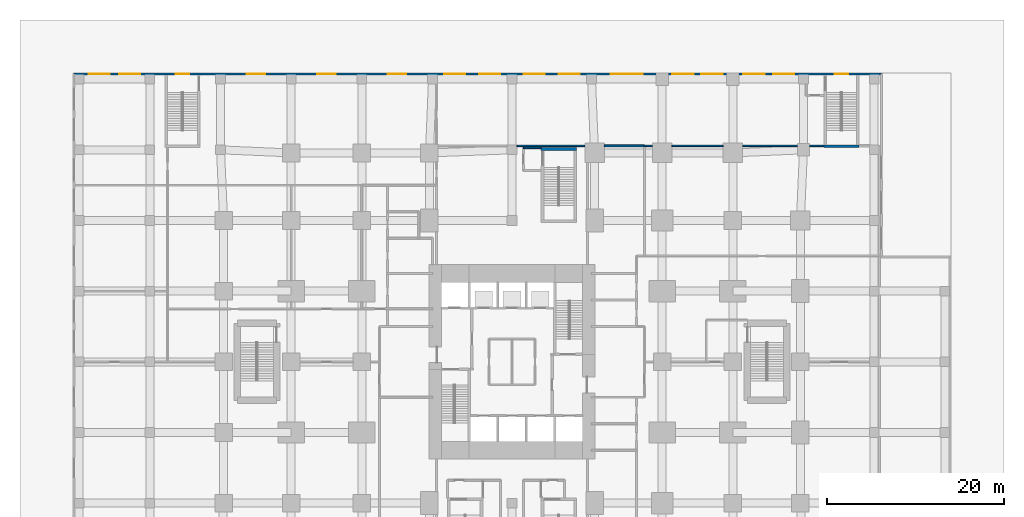
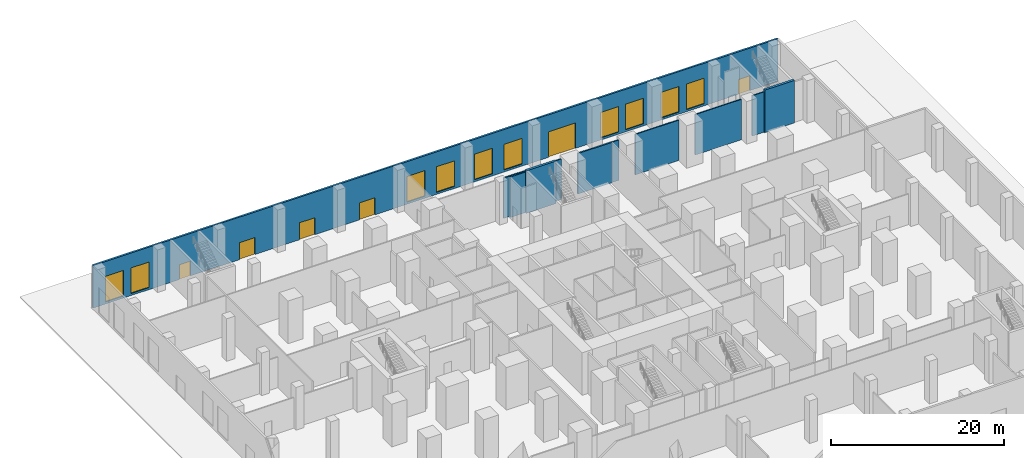
# One storey, part 11 of 16: 10 walls, 10 windows, 6 doors, 16 openings.
"""IFC4 building model written with IfcOpenShell, lengths in metres."""

from ifc_helpers import new_model, si_unit, direction, frame, frame_2d, origin, place, context, subcontext, project, spatial, rectangle, extrude, material, layer, layer_set, type_object, element, fill, save


model = new_model("IFC4")

# Units and contexts
model_context = context("Model", 3, precision=1e-05, world=origin(), true_north=direction((0.0, 1.0)))
body_context = subcontext(model_context, "Body", "Model", "MODEL_VIEW")
ifc_project = project(units=[si_unit("LENGTHUNIT", "METRE"), si_unit("AREAUNIT", "SQUARE_METRE"), si_unit("VOLUMEUNIT", "CUBIC_METRE"), si_unit("PLANEANGLEUNIT", "RADIAN"), si_unit("MASSUNIT", "GRAM", prefix="KILO")], contexts=[model_context])

# Site, building, storey
site_placement = place(None, origin())
site = spatial("IfcSite", under=ifc_project, at=site_placement, CompositionType="ELEMENT")
building_placement = place(site_placement, origin())
building = spatial("IfcBuilding", under=site, at=building_placement, Name="Cleftline Residences", CompositionType="ELEMENT")
storey_placement = place(building_placement, origin())
storey = spatial("IfcBuildingStorey", under=building, at=storey_placement, Name="L00", CompositionType="ELEMENT", Elevation=0.0)

# Wall, openings, doors, windows
ifc_material_1 = material(Name="Rendered reinforced concrete blockwork", Category="masonry")
ifc_layer_1 = layer(ifc_material_1, 0.25)
ifc_layer_set_1 = layer_set([ifc_layer_1], Name="EXTERNAL WALL 250")
wall_type_1 = type_object("IfcWallType", Name="EXTERNAL WALL 250", PredefinedType="SOLIDWALL", material=ifc_layer_set_1)
wall_1_placement = place(storey_placement, frame((74.824951171875, 56.574951171875, 0.0), z_axis=(0.0, 0.0, 1.0), x_axis=(-1.0, 0.0, 0.0)))
wall_1 = element("IfcWall", 1, at=wall_1_placement, inside=storey, type_object=wall_type_1, Name="External wall", PredefinedType="SOLIDWALL", context=body_context, shape_type="SweptSolid", body=[
    extrude(rectangle(XDim=91.39990234375, YDim=0.25, at=frame_2d((45.699951171875, 0.0))), origin(), (0.0, 0.0, 1.0), 6.0),
])
opening_1_placement = place(wall_1_placement, frame((27.02490234375, 0.0, 0.0)))
opening_1 = element("IfcOpeningElement", 2, at=opening_1_placement, cuts=wall_1, Name="Opening DR1", PredefinedType="OPENING", context=body_context, shape_type="SweptSolid", body=[
    extrude(rectangle(XDim=3.60009765625, YDim=3.60009765625, at=frame_2d((1.800048828125, 1.800048828125))), frame((0.0, 0.135009765625, 0.0), z_axis=(0.0, -1.0, 0.0), x_axis=(1.0, 0.0, 0.0)), (0.0, 0.0, 1.0), 0.27001953125),
])
opening_2_placement = place(wall_1_placement, frame((9.862548828125, 0.0, 0.300048828125)))
opening_2 = element("IfcOpeningElement", 3, at=opening_2_placement, cuts=wall_1, Name="Opening W1", PredefinedType="OPENING", context=body_context, shape_type="SweptSolid", body=[
    extrude(rectangle(XDim=2.39990234375, YDim=3.60009765625, at=frame_2d((1.199951171875, 1.800048828125))), frame((0.0, 0.135009765625, 0.0), z_axis=(0.0, -1.0, 0.0), x_axis=(1.0, 0.0, 0.0)), (0.0, 0.0, 1.0), 0.27001953125),
])
opening_3_placement = place(wall_1_placement, frame((13.237548828125, 0.0, 0.300048828125)))
opening_3 = element("IfcOpeningElement", 4, at=opening_3_placement, cuts=wall_1, Name="Opening W1", PredefinedType="OPENING", context=body_context, shape_type="SweptSolid", body=[
    extrude(rectangle(XDim=2.39990234375, YDim=3.60009765625, at=frame_2d((1.199951171875, 1.800048828125))), frame((0.0, 0.135009765625, 0.0), z_axis=(0.0, -1.0, 0.0), x_axis=(1.0, 0.0, 0.0)), (0.0, 0.0, 1.0), 0.27001953125),
])
opening_4_placement = place(wall_1_placement, frame((17.97509765625, 0.0, 0.300048828125)))
opening_4 = element("IfcOpeningElement", 5, at=opening_4_placement, cuts=wall_1, Name="Opening W1", PredefinedType="OPENING", context=body_context, shape_type="SweptSolid", body=[
    extrude(rectangle(XDim=2.39990234375, YDim=3.60009765625, at=frame_2d((1.199951171875, 1.800048828125))), frame((0.0, 0.135009765625, 0.0), z_axis=(0.0, -1.0, 0.0), x_axis=(1.0, 0.0, 0.0)), (0.0, 0.0, 1.0), 0.27001953125),
])
opening_5_placement = place(wall_1_placement, frame((21.27490234375, 0.0, 0.300048828125)))
opening_5 = element("IfcOpeningElement", 6, at=opening_5_placement, cuts=wall_1, Name="Opening W1", PredefinedType="OPENING", context=body_context, shape_type="SweptSolid", body=[
    extrude(rectangle(XDim=2.39990234375, YDim=3.60009765625, at=frame_2d((1.199951171875, 1.800048828125))), frame((0.0, 0.135009765625, 0.0), z_axis=(0.0, -1.0, 0.0), x_axis=(1.0, 0.0, 0.0)), (0.0, 0.0, 1.0), 0.27001953125),
])
opening_6_placement = place(wall_1_placement, frame((34.14990234375, 0.0, 0.300048828125)))
opening_6 = element("IfcOpeningElement", 7, at=opening_6_placement, cuts=wall_1, Name="Opening W1", PredefinedType="OPENING", context=body_context, shape_type="SweptSolid", body=[
    extrude(rectangle(XDim=2.39990234375, YDim=3.60009765625, at=frame_2d((1.199951171875, 1.800048828125))), frame((0.0, 0.135009765625, 0.0), z_axis=(0.0, -1.0, 0.0), x_axis=(1.0, 0.0, 0.0)), (0.0, 0.0, 1.0), 0.27001953125),
])
opening_7_placement = place(wall_1_placement, frame((38.10009765625, 0.0, 0.300048828125)))
opening_7 = element("IfcOpeningElement", 8, at=opening_7_placement, cuts=wall_1, Name="Opening W1", PredefinedType="OPENING", context=body_context, shape_type="SweptSolid", body=[
    extrude(rectangle(XDim=2.39990234375, YDim=3.60009765625, at=frame_2d((1.199951171875, 1.800048828125))), frame((0.0, 0.135009765625, 0.0), z_axis=(0.0, -1.0, 0.0), x_axis=(1.0, 0.0, 0.0)), (0.0, 0.0, 1.0), 0.27001953125),
])
opening_8_placement = place(wall_1_placement, frame((43.14990234375, 0.0, 0.300048828125)))
opening_8 = element("IfcOpeningElement", 9, at=opening_8_placement, cuts=wall_1, Name="Opening W1", PredefinedType="OPENING", context=body_context, shape_type="SweptSolid", body=[
    extrude(rectangle(XDim=2.39990234375, YDim=3.60009765625, at=frame_2d((1.199951171875, 1.800048828125))), frame((0.0, 0.135009765625, 0.0), z_axis=(0.0, -1.0, 0.0), x_axis=(1.0, 0.0, 0.0)), (0.0, 0.0, 1.0), 0.27001953125),
])
opening_9_placement = place(wall_1_placement, frame((47.10009765625, 0.0, 0.300048828125)))
opening_9 = element("IfcOpeningElement", 10, at=opening_9_placement, cuts=wall_1, Name="Opening W1", PredefinedType="OPENING", context=body_context, shape_type="SweptSolid", body=[
    extrude(rectangle(XDim=2.39990234375, YDim=3.60009765625, at=frame_2d((1.199951171875, 1.800048828125))), frame((0.0, 0.135009765625, 0.0), z_axis=(0.0, -1.0, 0.0), x_axis=(1.0, 0.0, 0.0)), (0.0, 0.0, 1.0), 0.27001953125),
])
opening_10_placement = place(wall_1_placement, frame((53.77490234375, 0.0, 0.0)))
opening_10 = element("IfcOpeningElement", 11, at=opening_10_placement, cuts=wall_1, Name="Opening DE1", PredefinedType="OPENING", context=body_context, shape_type="SweptSolid", body=[
    extrude(rectangle(XDim=2.10009765625, YDim=2.39990234375, at=frame_2d((1.050048828125, 1.199951171875))), frame((0.0, 0.135009765625, 0.0), z_axis=(0.0, -1.0, 0.0), x_axis=(1.0, 0.0, 0.0)), (0.0, 0.0, 1.0), 0.27001953125),
])
opening_11_placement = place(wall_1_placement, frame((61.77490234375, 0.0, 0.0)))
opening_11 = element("IfcOpeningElement", 12, at=opening_11_placement, cuts=wall_1, Name="Opening DE1", PredefinedType="OPENING", context=body_context, shape_type="SweptSolid", body=[
    extrude(rectangle(XDim=2.10009765625, YDim=2.39990234375, at=frame_2d((1.050048828125, 1.199951171875))), frame((0.0, 0.135009765625, 0.0), z_axis=(0.0, -1.0, 0.0), x_axis=(1.0, 0.0, 0.0)), (0.0, 0.0, 1.0), 0.27001953125),
])
opening_12_placement = place(wall_1_placement, frame((69.77490234375, 0.0, 0.0)))
opening_12 = element("IfcOpeningElement", 13, at=opening_12_placement, cuts=wall_1, Name="Opening DE1", PredefinedType="OPENING", context=body_context, shape_type="SweptSolid", body=[
    extrude(rectangle(XDim=2.10009765625, YDim=2.39990234375, at=frame_2d((1.050048828125, 1.199951171875))), frame((0.0, 0.135009765625, 0.0), z_axis=(0.0, -1.0, 0.0), x_axis=(1.0, 0.0, 0.0)), (0.0, 0.0, 1.0), 0.27001953125),
])
opening_13_placement = place(wall_1_placement, frame((83.89990234375, 0.0, 0.300048828125)))
opening_13 = element("IfcOpeningElement", 14, at=opening_13_placement, cuts=wall_1, Name="Opening W1", PredefinedType="OPENING", context=body_context, shape_type="SweptSolid", body=[
    extrude(rectangle(XDim=2.39990234375, YDim=3.60009765625, at=frame_2d((1.199951171875, 1.800048828125))), frame((0.0, 0.135009765625, 0.0), z_axis=(0.0, -1.0, 0.0), x_axis=(1.0, 0.0, 0.0)), (0.0, 0.0, 1.0), 0.27001953125),
])
opening_14_placement = place(wall_1_placement, frame((87.35009765625, 0.0, 0.300048828125)))
opening_14 = element("IfcOpeningElement", 15, at=opening_14_placement, cuts=wall_1, Name="Opening W1", PredefinedType="OPENING", context=body_context, shape_type="SweptSolid", body=[
    extrude(rectangle(XDim=2.39990234375, YDim=3.60009765625, at=frame_2d((1.199951171875, 1.800048828125))), frame((0.0, 0.135009765625, 0.0), z_axis=(0.0, -1.0, 0.0), x_axis=(1.0, 0.0, 0.0)), (0.0, 0.0, 1.0), 0.27001953125),
])
opening_15_placement = place(wall_1_placement, frame((5.27490234375, 0.0, 0.0), z_axis=(0.0, 0.0, 1.0), x_axis=(-1.0, 0.0, 0.0)))
opening_15 = element("IfcOpeningElement", 16, at=opening_15_placement, cuts=wall_1, Name="Opening D12", PredefinedType="OPENING", context=body_context, shape_type="SweptSolid", body=[
    extrude(rectangle(XDim=1.5, YDim=2.10009765625, at=frame_2d((0.75, 1.050048828125))), frame((0.0, 0.135009765625, 0.0), z_axis=(0.0, -1.0, 0.0), x_axis=(1.0, 0.0, 0.0)), (0.0, 0.0, 1.0), 0.27001953125),
])
opening_16_placement = place(wall_1_placement, frame((79.875, 0.0, 0.0), z_axis=(0.0, 0.0, 1.0), x_axis=(-1.0, 0.0, 0.0)))
opening_16 = element("IfcOpeningElement", 17, at=opening_16_placement, cuts=wall_1, Name="Opening D12", PredefinedType="OPENING", context=body_context, shape_type="SweptSolid", body=[
    extrude(rectangle(XDim=1.5, YDim=2.10009765625, at=frame_2d((0.75, 1.050048828125))), frame((0.0, 0.135009765625, 0.0), z_axis=(0.0, -1.0, 0.0), x_axis=(1.0, 0.0, 0.0)), (0.0, 0.0, 1.0), 0.27001953125),
])
ifc_material_2 = material(Name="Aluminium and laminated glass", Category="aluminium")
door_type_1 = type_object("IfcDoorType", Name="ENTRANCE DOOR 2100X2400", OperationType="DOUBLE_DOOR_DOUBLE_SWING", PredefinedType="DOOR", material=ifc_material_2)
door_1_placement = place(opening_10_placement, origin())
door_1 = element("IfcDoor", 18, at=door_1_placement, inside=storey, type_object=door_type_1, Name="Entrance door", OperationType="DOUBLE_DOOR_DOUBLE_SWING", OverallHeight=2.39990234375, OverallWidth=2.10009765625, PredefinedType="DOOR", context=body_context, shape_type="SweptSolid", body=[
    extrude(rectangle(XDim=2.10009765625, YDim=2.39990234375, at=frame_2d((1.050048828125, 1.199951171875))), frame((0.0, 0.02490234375, 0.0), z_axis=(0.0, -1.0, 0.0), x_axis=(1.0, 0.0, 0.0)), (0.0, 0.0, 1.0), 0.050048828125),
])
fill(opening_10, door_1)
door_2_placement = place(opening_11_placement, origin())
door_2 = element("IfcDoor", 19, at=door_2_placement, inside=storey, type_object=door_type_1, Name="Entrance door", OperationType="DOUBLE_DOOR_DOUBLE_SWING", OverallHeight=2.39990234375, OverallWidth=2.10009765625, PredefinedType="DOOR", context=body_context, shape_type="SweptSolid", body=[
    extrude(rectangle(XDim=2.10009765625, YDim=2.39990234375, at=frame_2d((1.050048828125, 1.199951171875))), frame((0.0, 0.02490234375, 0.0), z_axis=(0.0, -1.0, 0.0), x_axis=(1.0, 0.0, 0.0)), (0.0, 0.0, 1.0), 0.050048828125),
])
fill(opening_11, door_2)
door_3_placement = place(opening_12_placement, origin())
door_3 = element("IfcDoor", 20, at=door_3_placement, inside=storey, type_object=door_type_1, Name="Entrance door", OperationType="DOUBLE_DOOR_DOUBLE_SWING", OverallHeight=2.39990234375, OverallWidth=2.10009765625, PredefinedType="DOOR", context=body_context, shape_type="SweptSolid", body=[
    extrude(rectangle(XDim=2.10009765625, YDim=2.39990234375, at=frame_2d((1.050048828125, 1.199951171875))), frame((0.0, 0.02490234375, 0.0), z_axis=(0.0, -1.0, 0.0), x_axis=(1.0, 0.0, 0.0)), (0.0, 0.0, 1.0), 0.050048828125),
])
fill(opening_12, door_3)
ifc_material_3 = material(Name="Galvanised steel", Category="steel")
door_type_2 = type_object("IfcDoorType", Name="ROLLER SHUTTER 3600X3600", OperationType="USERDEFINED", PredefinedType="USERDEFINED", material=ifc_material_3)
door_4_placement = place(opening_1_placement, origin())
door_4 = element("IfcDoor", 21, at=door_4_placement, inside=storey, type_object=door_type_2, Name="Goods door", ObjectType="ROLLER SHUTTER", OperationType="USERDEFINED", OverallHeight=3.60009765625, OverallWidth=3.60009765625, PredefinedType="USERDEFINED", context=body_context, shape_type="SweptSolid", body=[
    extrude(rectangle(XDim=3.60009765625, YDim=3.60009765625, at=frame_2d((1.800048828125, 1.800048828125))), frame((0.0, 0.02490234375, 0.0), z_axis=(0.0, -1.0, 0.0), x_axis=(1.0, 0.0, 0.0)), (0.0, 0.0, 1.0), 0.050048828125),
])
fill(opening_1, door_4)
ifc_material_4 = material(Name="Steel", Category="steel")
door_type_3 = type_object("IfcDoorType", Name="STAIR DOOR 1500X2100", OperationType="DOUBLE_DOOR_SINGLE_SWING", PredefinedType="DOOR", material=ifc_material_4)
door_5_placement = place(opening_15_placement, origin())
door_5 = element("IfcDoor", 22, at=door_5_placement, inside=storey, type_object=door_type_3, Name="Stair PS-E exit door", OperationType="DOUBLE_DOOR_SINGLE_SWING", OverallHeight=2.10009765625, OverallWidth=1.5, PredefinedType="DOOR", context=body_context, shape_type="SweptSolid", body=[
    extrude(rectangle(XDim=1.5, YDim=2.10009765625, at=frame_2d((0.75, 1.050048828125))), frame((0.0, 0.02490234375, 0.0), z_axis=(0.0, -1.0, 0.0), x_axis=(1.0, 0.0, 0.0)), (0.0, 0.0, 1.0), 0.050048828125),
])
fill(opening_15, door_5)
door_6_placement = place(opening_16_placement, origin())
door_6 = element("IfcDoor", 23, at=door_6_placement, inside=storey, type_object=door_type_3, Name="Stair PS-W exit door", OperationType="DOUBLE_DOOR_SINGLE_SWING", OverallHeight=2.10009765625, OverallWidth=1.5, PredefinedType="DOOR", context=body_context, shape_type="SweptSolid", body=[
    extrude(rectangle(XDim=1.5, YDim=2.10009765625, at=frame_2d((0.75, 1.050048828125))), frame((0.0, 0.02490234375, 0.0), z_axis=(0.0, -1.0, 0.0), x_axis=(1.0, 0.0, 0.0)), (0.0, 0.0, 1.0), 0.050048828125),
])
fill(opening_16, door_6)
ifc_material_5 = material(Name="Aluminium frame, clear double glazing", Category="aluminium")
window_type = type_object("IfcWindowType", Name="WINDOW 2400X3600", PartitioningType="DOUBLE_PANEL_VERTICAL", PredefinedType="WINDOW", material=ifc_material_5)
window_1_placement = place(opening_2_placement, origin())
window_1 = element("IfcWindow", 24, at=window_1_placement, inside=storey, type_object=window_type, Name="Window", OverallHeight=3.60009765625, OverallWidth=2.39990234375, PartitioningType="SINGLE_PANEL", PredefinedType="WINDOW", context=body_context, shape_type="SweptSolid", body=[
    extrude(rectangle(XDim=2.39990234375, YDim=3.60009765625, at=frame_2d((1.199951171875, 1.800048828125))), frame((0.0, 0.030029296875, 0.0), z_axis=(0.0, -1.0, 0.0), x_axis=(1.0, 0.0, 0.0)), (0.0, 0.0, 1.0), 0.06005859375),
])
fill(opening_2, window_1)
window_2_placement = place(opening_3_placement, origin())
window_2 = element("IfcWindow", 25, at=window_2_placement, inside=storey, type_object=window_type, Name="Window", OverallHeight=3.60009765625, OverallWidth=2.39990234375, PartitioningType="SINGLE_PANEL", PredefinedType="WINDOW", context=body_context, shape_type="SweptSolid", body=[
    extrude(rectangle(XDim=2.39990234375, YDim=3.60009765625, at=frame_2d((1.199951171875, 1.800048828125))), frame((0.0, 0.030029296875, 0.0), z_axis=(0.0, -1.0, 0.0), x_axis=(1.0, 0.0, 0.0)), (0.0, 0.0, 1.0), 0.06005859375),
])
fill(opening_3, window_2)
window_3_placement = place(opening_4_placement, origin())
window_3 = element("IfcWindow", 26, at=window_3_placement, inside=storey, type_object=window_type, Name="Window", OverallHeight=3.60009765625, OverallWidth=2.39990234375, PartitioningType="SINGLE_PANEL", PredefinedType="WINDOW", context=body_context, shape_type="SweptSolid", body=[
    extrude(rectangle(XDim=2.39990234375, YDim=3.60009765625, at=frame_2d((1.199951171875, 1.800048828125))), frame((0.0, 0.030029296875, 0.0), z_axis=(0.0, -1.0, 0.0), x_axis=(1.0, 0.0, 0.0)), (0.0, 0.0, 1.0), 0.06005859375),
])
fill(opening_4, window_3)
window_4_placement = place(opening_5_placement, origin())
window_4 = element("IfcWindow", 27, at=window_4_placement, inside=storey, type_object=window_type, Name="Window", OverallHeight=3.60009765625, OverallWidth=2.39990234375, PartitioningType="SINGLE_PANEL", PredefinedType="WINDOW", context=body_context, shape_type="SweptSolid", body=[
    extrude(rectangle(XDim=2.39990234375, YDim=3.60009765625, at=frame_2d((1.199951171875, 1.800048828125))), frame((0.0, 0.030029296875, 0.0), z_axis=(0.0, -1.0, 0.0), x_axis=(1.0, 0.0, 0.0)), (0.0, 0.0, 1.0), 0.06005859375),
])
fill(opening_5, window_4)
window_5_placement = place(opening_6_placement, origin())
window_5 = element("IfcWindow", 28, at=window_5_placement, inside=storey, type_object=window_type, Name="Window", OverallHeight=3.60009765625, OverallWidth=2.39990234375, PartitioningType="SINGLE_PANEL", PredefinedType="WINDOW", context=body_context, shape_type="SweptSolid", body=[
    extrude(rectangle(XDim=2.39990234375, YDim=3.60009765625, at=frame_2d((1.199951171875, 1.800048828125))), frame((0.0, 0.030029296875, 0.0), z_axis=(0.0, -1.0, 0.0), x_axis=(1.0, 0.0, 0.0)), (0.0, 0.0, 1.0), 0.06005859375),
])
fill(opening_6, window_5)
window_6_placement = place(opening_7_placement, origin())
window_6 = element("IfcWindow", 29, at=window_6_placement, inside=storey, type_object=window_type, Name="Window", OverallHeight=3.60009765625, OverallWidth=2.39990234375, PartitioningType="SINGLE_PANEL", PredefinedType="WINDOW", context=body_context, shape_type="SweptSolid", body=[
    extrude(rectangle(XDim=2.39990234375, YDim=3.60009765625, at=frame_2d((1.199951171875, 1.800048828125))), frame((0.0, 0.030029296875, 0.0), z_axis=(0.0, -1.0, 0.0), x_axis=(1.0, 0.0, 0.0)), (0.0, 0.0, 1.0), 0.06005859375),
])
fill(opening_7, window_6)
window_7_placement = place(opening_8_placement, origin())
window_7 = element("IfcWindow", 30, at=window_7_placement, inside=storey, type_object=window_type, Name="Window", OverallHeight=3.60009765625, OverallWidth=2.39990234375, PartitioningType="SINGLE_PANEL", PredefinedType="WINDOW", context=body_context, shape_type="SweptSolid", body=[
    extrude(rectangle(XDim=2.39990234375, YDim=3.60009765625, at=frame_2d((1.199951171875, 1.800048828125))), frame((0.0, 0.030029296875, 0.0), z_axis=(0.0, -1.0, 0.0), x_axis=(1.0, 0.0, 0.0)), (0.0, 0.0, 1.0), 0.06005859375),
])
fill(opening_8, window_7)
window_8_placement = place(opening_9_placement, origin())
window_8 = element("IfcWindow", 31, at=window_8_placement, inside=storey, type_object=window_type, Name="Window", OverallHeight=3.60009765625, OverallWidth=2.39990234375, PartitioningType="SINGLE_PANEL", PredefinedType="WINDOW", context=body_context, shape_type="SweptSolid", body=[
    extrude(rectangle(XDim=2.39990234375, YDim=3.60009765625, at=frame_2d((1.199951171875, 1.800048828125))), frame((0.0, 0.030029296875, 0.0), z_axis=(0.0, -1.0, 0.0), x_axis=(1.0, 0.0, 0.0)), (0.0, 0.0, 1.0), 0.06005859375),
])
fill(opening_9, window_8)
window_9_placement = place(opening_13_placement, origin())
window_9 = element("IfcWindow", 32, at=window_9_placement, inside=storey, type_object=window_type, Name="Window", OverallHeight=3.60009765625, OverallWidth=2.39990234375, PartitioningType="SINGLE_PANEL", PredefinedType="WINDOW", context=body_context, shape_type="SweptSolid", body=[
    extrude(rectangle(XDim=2.39990234375, YDim=3.60009765625, at=frame_2d((1.199951171875, 1.800048828125))), frame((0.0, 0.030029296875, 0.0), z_axis=(0.0, -1.0, 0.0), x_axis=(1.0, 0.0, 0.0)), (0.0, 0.0, 1.0), 0.06005859375),
])
fill(opening_13, window_9)
window_10_placement = place(opening_14_placement, origin())
window_10 = element("IfcWindow", 33, at=window_10_placement, inside=storey, type_object=window_type, Name="Window", OverallHeight=3.60009765625, OverallWidth=2.39990234375, PartitioningType="SINGLE_PANEL", PredefinedType="WINDOW", context=body_context, shape_type="SweptSolid", body=[
    extrude(rectangle(XDim=2.39990234375, YDim=3.60009765625, at=frame_2d((1.199951171875, 1.800048828125))), frame((0.0, 0.030029296875, 0.0), z_axis=(0.0, -1.0, 0.0), x_axis=(1.0, 0.0, 0.0)), (0.0, 0.0, 1.0), 0.06005859375),
])
fill(opening_14, window_10)

# Walls
ifc_material_6 = material(Name="Concrete blockwork, fire rated", Category="masonry")
ifc_layer_2 = layer(ifc_material_6, 0.199951171875)
ifc_layer_set_2 = layer_set([ifc_layer_2], Name="FIRE WALL 200")
wall_type_2 = type_object("IfcWallType", Name="FIRE WALL 200", PredefinedType="PARTITIONING", material=ifc_layer_set_2)
wall_2_placement = place(storey_placement, frame((34.300048828125, 48.25, 0.0), z_axis=(0.0, 0.0, 1.0), x_axis=(1.0, 0.0, 0.0)))
element("IfcWall", 34, at=wall_2_placement, inside=storey, type_object=wall_type_2, Name="Fire separating wall", PredefinedType="PARTITIONING", context=body_context, shape_type="SweptSolid", body=[
    extrude(rectangle(XDim=2.0, YDim=0.199951171875, at=frame_2d((1.0, 0.0))), origin(), (0.0, 0.0, 1.0), 5.699951171875),
])
wall_3_placement = place(storey_placement, frame((43.449951171875, 48.449951171875, 0.0), z_axis=(0.0, 0.0, 1.0), x_axis=(1.0, 0.0, 0.0)))
element("IfcWall", 35, at=wall_3_placement, inside=storey, type_object=wall_type_2, Name="Fire separating wall", PredefinedType="PARTITIONING", context=body_context, shape_type="SweptSolid", body=[
    extrude(rectangle(XDim=4.550048828125, YDim=0.199951171875, at=frame_2d((2.27490234375, 0.0))), origin(), (0.0, 0.0, 1.0), 5.699951171875),
])
ifc_material_7 = material(Name="Gypsum board on steel studs", Category="steel")
ifc_layer_3 = layer(ifc_material_7, 0.14990234375)
ifc_layer_set_3 = layer_set([ifc_layer_3], Name="PARTITION 150")
wall_type_3 = type_object("IfcWallType", Name="PARTITION 150", PredefinedType="PARTITIONING", material=ifc_layer_set_3)
wall_4_placement = place(storey_placement, frame((33.550048828125, 48.449951171875, 0.0), z_axis=(0.0, 0.0, 1.0), x_axis=(1.0, 0.0, 0.0)))
element("IfcWall", 36, at=wall_4_placement, inside=storey, type_object=wall_type_3, Name="Partition", PredefinedType="PARTITIONING", context=body_context, shape_type="SweptSolid", body=[
    extrude(rectangle(XDim=7.699951171875, YDim=0.14990234375, at=frame_2d((3.85009765625, 0.0))), origin(), (0.0, 0.0, 1.0), 5.699951171875),
])
wall_5_placement = place(storey_placement, frame((48.0, 48.449951171875, 0.0), z_axis=(0.0, 0.0, 1.0), x_axis=(1.0, 0.0, 0.0)))
element("IfcWall", 37, at=wall_5_placement, inside=storey, type_object=wall_type_3, Name="Partition", PredefinedType="PARTITIONING", context=body_context, shape_type="SweptSolid", body=[
    extrude(rectangle(XDim=0.89990234375, YDim=0.14990234375, at=frame_2d((0.449951171875, 0.0))), origin(), (0.0, 0.0, 1.0), 5.699951171875),
])
wall_6_placement = place(storey_placement, frame((51.10009765625, 48.449951171875, 0.0), z_axis=(0.0, 0.0, 1.0), x_axis=(1.0, 0.0, 0.0)))
element("IfcWall", 38, at=wall_6_placement, inside=storey, type_object=wall_type_3, Name="Partition", PredefinedType="PARTITIONING", context=body_context, shape_type="SweptSolid", body=[
    extrude(rectangle(XDim=5.7998046875, YDim=0.14990234375, at=frame_2d((2.89990234375, 0.0))), origin(), (0.0, 0.0, 1.0), 5.699951171875),
])
wall_7_placement = place(storey_placement, frame((59.10009765625, 48.449951171875, 0.0), z_axis=(0.0, 0.0, 1.0), x_axis=(1.0, 0.0, 0.0)))
element("IfcWall", 39, at=wall_7_placement, inside=storey, type_object=wall_type_3, Name="Partition", PredefinedType="PARTITIONING", context=body_context, shape_type="SweptSolid", body=[
    extrude(rectangle(XDim=6.199951171875, YDim=0.14990234375, at=frame_2d((3.10009765625, 0.0))), origin(), (0.0, 0.0, 1.0), 5.699951171875),
])
wall_8_placement = place(storey_placement, frame((66.699951171875, 48.449951171875, 0.0), z_axis=(0.0, 0.0, 1.0), x_axis=(1.0, 0.0, 0.0)))
element("IfcWall", 40, at=wall_8_placement, inside=storey, type_object=wall_type_3, Name="Partition", PredefinedType="PARTITIONING", context=body_context, shape_type="SweptSolid", body=[
    extrude(rectangle(XDim=1.60009765625, YDim=0.14990234375, at=frame_2d((0.800048828125, 0.0))), origin(), (0.0, 0.0, 1.0), 5.699951171875),
])
ifc_material_8 = material(Name="Concrete blockwork, fire rated", Category="masonry")
ifc_layer_4 = layer(ifc_material_8, 0.300048828125)
ifc_layer_set_4 = layer_set([ifc_layer_4], Name="STAIR ENCLOSURE WALL 300")
wall_type_4 = type_object("IfcWallType", Name="STAIR ENCLOSURE WALL 300", PredefinedType="PARTITIONING", material=ifc_layer_set_4)
for number, where, z_axis, x_axis, name in (
    (41, (36.300048828125, 48.10009765625, 0.0), (0.0, 0.0, 1.0), (1.0, 0.0, 0.0), "Stair D enclosure"),
    (42, (68.300048828125, 48.39990234375, 0.0), (0.0, 0.0, 1.0), (1.0, 0.0, 0.0), "Stair PS-E enclosure"),
):
    element("IfcWall", number, at=place(storey_placement, frame(where, z_axis=z_axis, x_axis=x_axis)), inside=storey, type_object=wall_type_4, Name=name, PredefinedType="PARTITIONING", context=body_context, shape_type="SweptSolid", body=[
        extrude(rectangle(XDim=4.0, YDim=0.300048828125, at=frame_2d((2.0, 0.0))), origin(), (0.0, 0.0, 1.0), 6.0),
    ])

save(model, "model.ifc")
